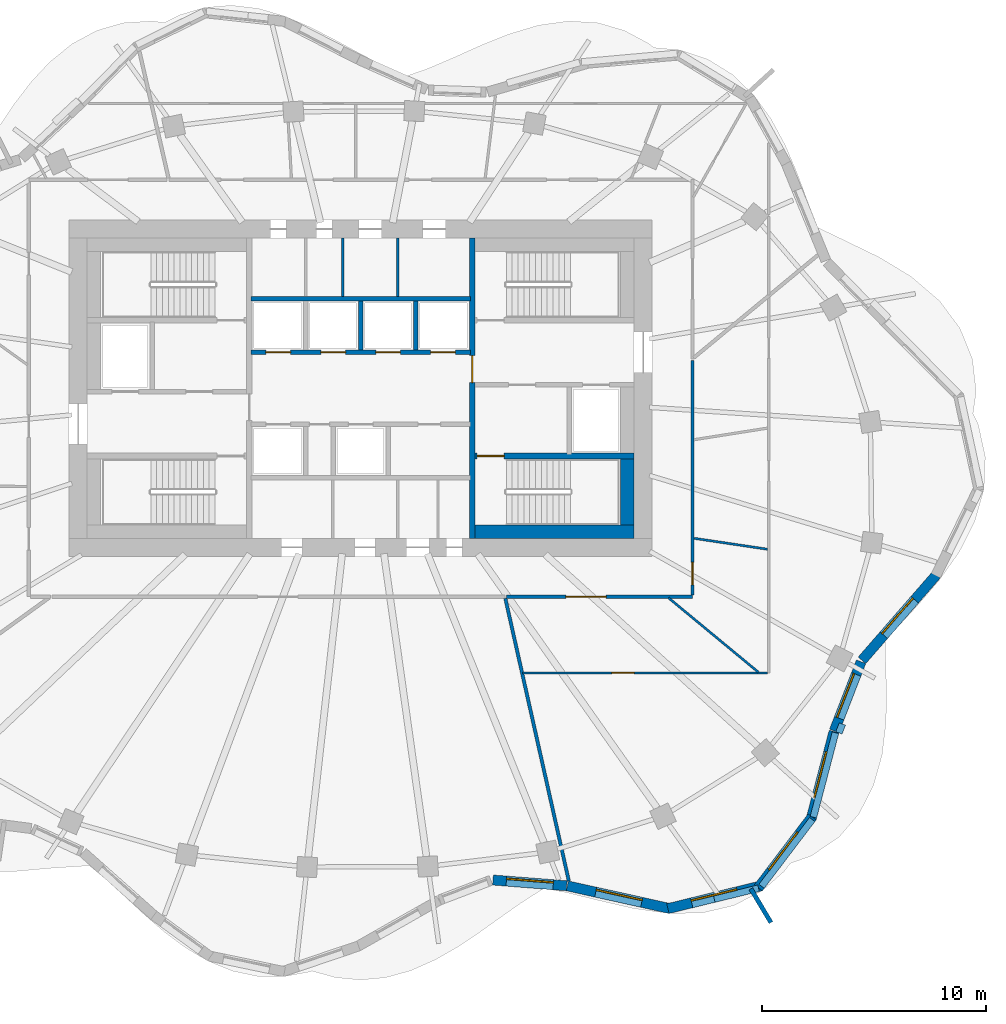
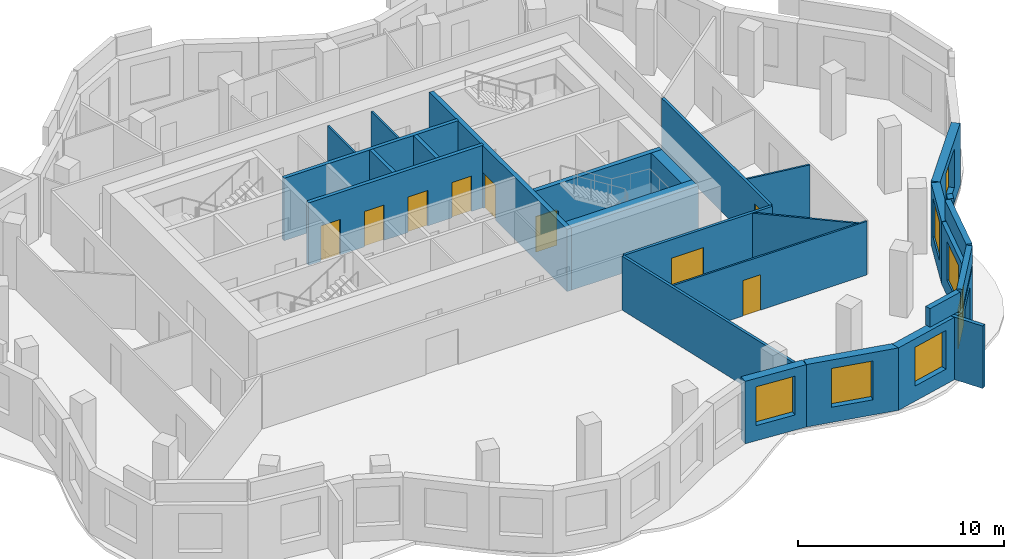
# One storey, part 5 of 9: 28 walls, 9 doors, 7 windows, 16 openings.
"""IFC4 building model written with IfcOpenShell, lengths in metres."""

from ifc_helpers import new_model, si_unit, direction, frame, frame_2d, origin, place, context, subcontext, project, spatial, rectangle, extrude, material, layer, layer_set, type_object, element, fill, save


model = new_model("IFC4")

# Units and contexts
model_context = context("Model", 3, precision=1e-05, world=origin(), true_north=direction((0.0, 1.0)))
body_context = subcontext(model_context, "Body", "Model", "MODEL_VIEW")
ifc_project = project(units=[si_unit("LENGTHUNIT", "METRE"), si_unit("AREAUNIT", "SQUARE_METRE"), si_unit("VOLUMEUNIT", "CUBIC_METRE"), si_unit("PLANEANGLEUNIT", "RADIAN"), si_unit("MASSUNIT", "GRAM", prefix="KILO")], contexts=[model_context])

# Site, building, storey
site_placement = place(None, origin())
site = spatial("IfcSite", under=ifc_project, at=site_placement, CompositionType="ELEMENT")
building_placement = place(site_placement, origin())
building = spatial("IfcBuilding", under=site, at=building_placement, Name="Rubra Terraces Tower", CompositionType="ELEMENT")
storey_placement = place(building_placement, frame((0.0, 0.0, 272.699951171875)))
storey = spatial("IfcBuildingStorey", under=building, at=storey_placement, Name="L67", CompositionType="ELEMENT", Elevation=272.699951171875)

# Wall, opening, window
ifc_material_1 = material(Name="Brick masonry red-brown", Category="masonry")
ifc_layer_1 = layer(ifc_material_1, 0.449951171875)
ifc_layer_set_1 = layer_set([ifc_layer_1], Name="Brick masonry red-brown")
wall_type_1 = type_object("IfcWallType", Name="Brick facade wall 450", PredefinedType="SOLIDWALL", material=ifc_layer_set_1)
wall_1_placement = place(storey_placement, frame((5.902587890625, -17.4404296875, 0.0), z_axis=(0.0, 0.0, 1.0), x_axis=(0.996964477799, -0.077857754954, 0.0)))
wall_1 = element("IfcWall", 1, at=wall_1_placement, inside=storey, type_object=wall_type_1, Name="Facade wall L67 bay 33", PredefinedType="SOLIDWALL", context=body_context, shape_type="SweptSolid", body=[
    extrude(rectangle(XDim=3.295654296875, YDim=0.449951171875, at=frame_2d((1.64794921875, 0.0))), origin(), (0.0, 0.0, 1.0), 3.699951171875),
])
opening_1_placement = place(wall_1_placement, frame((0.597900390625, 0.0, 0.89990234375)))
opening_1 = element("IfcOpeningElement", 2, at=opening_1_placement, cuts=wall_1, Name="Opening W1B", PredefinedType="OPENING", context=body_context, shape_type="SweptSolid", body=[
    extrude(rectangle(XDim=2.10009765625, YDim=2.300048828125, at=frame_2d((1.050048828125, 1.14990234375))), frame((0.0, 0.23486328125, 0.0), z_axis=(0.0, -1.0, 0.0), x_axis=(1.0, 0.0, 0.0)), (0.0, 0.0, 1.0), 0.469970703125),
])
ifc_material_2 = material(Name="Clear glass in aluminium frame", Category="aluminium")
window_type = type_object("IfcWindowType", Name="Fixed deep-set window tall storey 2100 x 2300", PartitioningType="SINGLE_PANEL", PredefinedType="WINDOW", material=ifc_material_2)
window_1_placement = place(opening_1_placement, origin())
window_1 = element("IfcWindow", 3, at=window_1_placement, inside=storey, type_object=window_type, Name="Window L67 bay 33", OverallHeight=2.300048828125, OverallWidth=2.10009765625, PartitioningType="SINGLE_PANEL", PredefinedType="WINDOW", context=body_context, shape_type="SweptSolid", body=[
    extrude(rectangle(XDim=2.10009765625, YDim=2.300048828125, at=frame_2d((1.050048828125, 1.14990234375))), frame((0.0, 0.135009765625, 0.0), z_axis=(0.0, -1.0, 0.0), x_axis=(1.0, 0.0, 0.0)), (0.0, 0.0, 1.0), 0.06005859375),
])
fill(opening_1, window_1)

wall_2_placement = place(storey_placement, frame((9.22119140625, -17.701171875, 0.0), z_axis=(0.0, 0.0, 1.0), x_axis=(0.976391105685, -0.216010205175, 0.0)))
wall_2 = element("IfcWall", 4, at=wall_2_placement, inside=storey, type_object=wall_type_1, Name="Facade wall L67 bay 34", PredefinedType="SOLIDWALL", context=body_context, shape_type="SweptSolid", body=[
    extrude(rectangle(XDim=4.691650390625, YDim=0.449951171875, at=frame_2d((2.345703125, 0.0))), origin(), (0.0, 0.0, 1.0), 3.699951171875),
])
opening_2_placement = place(wall_2_placement, frame((1.295654296875, 0.0, 0.89990234375)))
opening_2 = element("IfcOpeningElement", 5, at=opening_2_placement, cuts=wall_2, Name="Opening W1B", PredefinedType="OPENING", context=body_context, shape_type="SweptSolid", body=[
    extrude(rectangle(XDim=2.10009765625, YDim=2.300048828125, at=frame_2d((1.050048828125, 1.14990234375))), frame((0.0, 0.23486328125, 0.0), z_axis=(0.0, -1.0, 0.0), x_axis=(1.0, 0.0, 0.0)), (0.0, 0.0, 1.0), 0.469970703125),
])
window_2_placement = place(opening_2_placement, origin())
window_2 = element("IfcWindow", 6, at=window_2_placement, inside=storey, type_object=window_type, Name="Window L67 bay 34", OverallHeight=2.300048828125, OverallWidth=2.10009765625, PartitioningType="SINGLE_PANEL", PredefinedType="WINDOW", context=body_context, shape_type="SweptSolid", body=[
    extrude(rectangle(XDim=2.10009765625, YDim=2.300048828125, at=frame_2d((1.050048828125, 1.14990234375))), frame((0.0, 0.135009765625, 0.0), z_axis=(0.0, -1.0, 0.0), x_axis=(1.0, 0.0, 0.0)), (0.0, 0.0, 1.0), 0.06005859375),
])
fill(opening_2, window_2)

wall_3_placement = place(storey_placement, frame((13.70361328125, -18.71630859375, 0.0), z_axis=(0.0, 0.0, 1.0), x_axis=(0.971546885012, 0.236847314156, 0.0)))
wall_3 = element("IfcWall", 7, at=wall_3_placement, inside=storey, type_object=wall_type_1, Name="Facade wall L67 bay 35", PredefinedType="SOLIDWALL", context=body_context, shape_type="SweptSolid", body=[
    extrude(rectangle(XDim=4.284912109375, YDim=0.449951171875, at=frame_2d((2.142578125, 0.0))), origin(), (0.0, 0.0, 1.0), 3.699951171875),
])
opening_3_placement = place(wall_3_placement, frame((1.092529296875, 0.0, 0.89990234375)))
opening_3 = element("IfcOpeningElement", 8, at=opening_3_placement, cuts=wall_3, Name="Opening W1B", PredefinedType="OPENING", context=body_context, shape_type="SweptSolid", body=[
    extrude(rectangle(XDim=2.10009765625, YDim=2.300048828125, at=frame_2d((1.050048828125, 1.14990234375))), frame((0.0, 0.23486328125, 0.0), z_axis=(0.0, -1.0, 0.0), x_axis=(1.0, 0.0, 0.0)), (0.0, 0.0, 1.0), 0.469970703125),
])
window_3_placement = place(opening_3_placement, origin())
window_3 = element("IfcWindow", 9, at=window_3_placement, inside=storey, type_object=window_type, Name="Window L67 bay 35", OverallHeight=2.300048828125, OverallWidth=2.10009765625, PartitioningType="SINGLE_PANEL", PredefinedType="WINDOW", context=body_context, shape_type="SweptSolid", body=[
    extrude(rectangle(XDim=2.10009765625, YDim=2.300048828125, at=frame_2d((1.050048828125, 1.14990234375))), frame((0.0, 0.135009765625, 0.0), z_axis=(0.0, -1.0, 0.0), x_axis=(1.0, 0.0, 0.0)), (0.0, 0.0, 1.0), 0.06005859375),
])
fill(opening_3, window_3)

wall_4_placement = place(storey_placement, frame((17.74072265625, -17.783935546875, 0.0), z_axis=(0.0, 0.0, 1.0), x_axis=(0.604591324894, 0.796535830872, 0.0)))
wall_4 = element("IfcWall", 10, at=wall_4_placement, inside=storey, type_object=wall_type_1, Name="Facade wall L67 bay 36", PredefinedType="SOLIDWALL", context=body_context, shape_type="SweptSolid", body=[
    extrude(rectangle(XDim=3.964599609375, YDim=0.449951171875, at=frame_2d((1.982421875, 0.0))), origin(), (0.0, 0.0, 1.0), 3.699951171875),
])
opening_4_placement = place(wall_4_placement, frame((0.932373046875, 0.0, 0.89990234375)))
opening_4 = element("IfcOpeningElement", 11, at=opening_4_placement, cuts=wall_4, Name="Opening W1B", PredefinedType="OPENING", context=body_context, shape_type="SweptSolid", body=[
    extrude(rectangle(XDim=2.10009765625, YDim=2.300048828125, at=frame_2d((1.050048828125, 1.14990234375))), frame((0.0, 0.23486328125, 0.0), z_axis=(0.0, -1.0, 0.0), x_axis=(1.0, 0.0, 0.0)), (0.0, 0.0, 1.0), 0.469970703125),
])
window_4_placement = place(opening_4_placement, origin())
window_4 = element("IfcWindow", 12, at=window_4_placement, inside=storey, type_object=window_type, Name="Window L67 bay 36", OverallHeight=2.300048828125, OverallWidth=2.10009765625, PartitioningType="SINGLE_PANEL", PredefinedType="WINDOW", context=body_context, shape_type="SweptSolid", body=[
    extrude(rectangle(XDim=2.10009765625, YDim=2.300048828125, at=frame_2d((1.050048828125, 1.14990234375))), frame((0.0, 0.135009765625, 0.0), z_axis=(0.0, -1.0, 0.0), x_axis=(1.0, 0.0, 0.0)), (0.0, 0.0, 1.0), 0.06005859375),
])
fill(opening_4, window_4)

wall_5_placement = place(storey_placement, frame((20.1005859375, -14.699951171875, 0.0), z_axis=(0.0, 0.0, 1.0), x_axis=(0.253050507365, 0.967453069003, 0.0)))
wall_5 = element("IfcWall", 13, at=wall_5_placement, inside=storey, type_object=wall_type_1, Name="Facade wall L67 bay 37", PredefinedType="SOLIDWALL", context=body_context, shape_type="SweptSolid", body=[
    extrude(rectangle(XDim=4.015380859375, YDim=0.449951171875, at=frame_2d((2.0078125, 0.0))), origin(), (0.0, 0.0, 1.0), 3.699951171875),
])
opening_5_placement = place(wall_5_placement, frame((0.957763671875, 0.0, 0.89990234375)))
opening_5 = element("IfcOpeningElement", 14, at=opening_5_placement, cuts=wall_5, Name="Opening W1B", PredefinedType="OPENING", context=body_context, shape_type="SweptSolid", body=[
    extrude(rectangle(XDim=2.10009765625, YDim=2.300048828125, at=frame_2d((1.050048828125, 1.14990234375))), frame((0.0, 0.23486328125, 0.0), z_axis=(0.0, -1.0, 0.0), x_axis=(1.0, 0.0, 0.0)), (0.0, 0.0, 1.0), 0.469970703125),
])
window_5_placement = place(opening_5_placement, origin())
window_5 = element("IfcWindow", 15, at=window_5_placement, inside=storey, type_object=window_type, Name="Window L67 bay 37", OverallHeight=2.300048828125, OverallWidth=2.10009765625, PartitioningType="SINGLE_PANEL", PredefinedType="WINDOW", context=body_context, shape_type="SweptSolid", body=[
    extrude(rectangle(XDim=2.10009765625, YDim=2.300048828125, at=frame_2d((1.050048828125, 1.14990234375))), frame((0.0, 0.135009765625, 0.0), z_axis=(0.0, -1.0, 0.0), x_axis=(1.0, 0.0, 0.0)), (0.0, 0.0, 1.0), 0.06005859375),
])
fill(opening_5, window_5)

wall_6_placement = place(storey_placement, frame((21.12548828125, -10.7900390625, 0.0), z_axis=(0.0, 0.0, 1.0), x_axis=(0.361550075906, 0.932352692178, 0.0)))
wall_6 = element("IfcWall", 16, at=wall_6_placement, inside=storey, type_object=wall_type_1, Name="Facade wall L67 bay 38", PredefinedType="SOLIDWALL", context=body_context, shape_type="SweptSolid", body=[
    extrude(rectangle(XDim=3.3134765625, YDim=0.449951171875, at=frame_2d((1.65673828125, 0.0))), origin(), (0.0, 0.0, 1.0), 3.699951171875),
])
opening_6_placement = place(wall_6_placement, frame((0.606689453125, 0.0, 0.89990234375)))
opening_6 = element("IfcOpeningElement", 17, at=opening_6_placement, cuts=wall_6, Name="Opening W1B", PredefinedType="OPENING", context=body_context, shape_type="SweptSolid", body=[
    extrude(rectangle(XDim=2.10009765625, YDim=2.300048828125, at=frame_2d((1.050048828125, 1.14990234375))), frame((0.0, 0.23486328125, 0.0), z_axis=(0.0, -1.0, 0.0), x_axis=(1.0, 0.0, 0.0)), (0.0, 0.0, 1.0), 0.469970703125),
])
window_6_placement = place(opening_6_placement, origin())
window_6 = element("IfcWindow", 18, at=window_6_placement, inside=storey, type_object=window_type, Name="Window L67 bay 38", OverallHeight=2.300048828125, OverallWidth=2.10009765625, PartitioningType="SINGLE_PANEL", PredefinedType="WINDOW", context=body_context, shape_type="SweptSolid", body=[
    extrude(rectangle(XDim=2.10009765625, YDim=2.300048828125, at=frame_2d((1.050048828125, 1.14990234375))), frame((0.0, 0.135009765625, 0.0), z_axis=(0.0, -1.0, 0.0), x_axis=(1.0, 0.0, 0.0)), (0.0, 0.0, 1.0), 0.06005859375),
])
fill(opening_6, window_6)

wall_7_placement = place(storey_placement, frame((22.361083984375, -7.640380859375, 0.0), z_axis=(0.0, 0.0, 1.0), x_axis=(0.656556431783, 0.754276906636, 0.0)))
wall_7 = element("IfcWall", 19, at=wall_7_placement, inside=storey, type_object=wall_type_1, Name="Facade wall L67 bay 39", PredefinedType="SOLIDWALL", context=body_context, shape_type="SweptSolid", body=[
    extrude(rectangle(XDim=5.07177734375, YDim=0.449951171875, at=frame_2d((2.535888671875, 0.0))), origin(), (0.0, 0.0, 1.0), 3.699951171875),
])
opening_7_placement = place(wall_7_placement, frame((1.48583984375, 0.0, 0.89990234375)))
opening_7 = element("IfcOpeningElement", 20, at=opening_7_placement, cuts=wall_7, Name="Opening W1B", PredefinedType="OPENING", context=body_context, shape_type="SweptSolid", body=[
    extrude(rectangle(XDim=2.10009765625, YDim=2.300048828125, at=frame_2d((1.050048828125, 1.14990234375))), frame((0.0, 0.23486328125, 0.0), z_axis=(0.0, -1.0, 0.0), x_axis=(1.0, 0.0, 0.0)), (0.0, 0.0, 1.0), 0.469970703125),
])
window_7_placement = place(opening_7_placement, origin())
window_7 = element("IfcWindow", 21, at=window_7_placement, inside=storey, type_object=window_type, Name="Window L67 bay 39", OverallHeight=2.300048828125, OverallWidth=2.10009765625, PartitioningType="SINGLE_PANEL", PredefinedType="WINDOW", context=body_context, shape_type="SweptSolid", body=[
    extrude(rectangle(XDim=2.10009765625, YDim=2.300048828125, at=frame_2d((1.050048828125, 1.14990234375))), frame((0.0, 0.135009765625, 0.0), z_axis=(0.0, -1.0, 0.0), x_axis=(1.0, 0.0, 0.0)), (0.0, 0.0, 1.0), 0.06005859375),
])
fill(opening_7, window_7)

# Walls
ifc_layer_2 = layer(ifc_material_1, 0.300048828125)
ifc_layer_set_2 = layer_set([ifc_layer_2], Name="Brick masonry red-brown")
wall_type_2 = type_object("IfcWallType", Name="Brick parapet 300", PredefinedType="PARAPET", material=ifc_layer_set_2)
wall_8_placement = place(storey_placement, frame((15.771484375, -18.289306640625, 3.900146484375), z_axis=(0.0, 0.0, 1.0), x_axis=(0.971555973345, 0.236810030736, 0.0)))
element("IfcWall", 22, at=wall_8_placement, inside=storey, type_object=wall_type_2, Name="Parapet L67 bay 35", PredefinedType="PARAPET", context=body_context, shape_type="SweptSolid", body=[
    extrude(rectangle(XDim=2.0380859375, YDim=0.300048828125, at=frame_2d((1.01904296875, 0.0))), origin(), (0.0, 0.0, 1.0), 1.099853515625),
])
wall_9_placement = place(storey_placement, frame((17.883056640625, -17.720703125, 3.900146484375), z_axis=(0.0, 0.0, 1.0), x_axis=(0.60459800049, 0.796530763878, 0.0)))
element("IfcWall", 23, at=wall_9_placement, inside=storey, type_object=wall_type_2, Name="Parapet L67 bay 36", PredefinedType="PARAPET", context=body_context, shape_type="SweptSolid", body=[
    extrude(rectangle(XDim=3.738525390625, YDim=0.300048828125, at=frame_2d((1.869140625, 0.0))), origin(), (0.0, 0.0, 1.0), 1.099853515625),
])
wall_10_placement = place(storey_placement, frame((20.194580078125, -14.63720703125, 3.900146484375), z_axis=(0.0, 0.0, 1.0), x_axis=(0.253006085487, 0.967464687059, 0.0)))
element("IfcWall", 24, at=wall_10_placement, inside=storey, type_object=wall_type_2, Name="Parapet L67 bay 37", PredefinedType="PARAPET", context=body_context, shape_type="SweptSolid", body=[
    extrude(rectangle(XDim=3.8955078125, YDim=0.300048828125, at=frame_2d((1.94775390625, 0.0))), origin(), (0.0, 0.0, 1.0), 1.099853515625),
])
wall_11_placement = place(storey_placement, frame((21.3330078125, -10.877197265625, 3.900146484375), z_axis=(0.0, 0.0, 1.0), x_axis=(0.361395761011, 0.932412518107, 0.0)))
element("IfcWall", 25, at=wall_11_placement, inside=storey, type_object=wall_type_2, Name="Parapet L67 bay 38", PredefinedType="PARAPET", context=body_context, shape_type="SweptSolid", body=[
    extrude(rectangle(XDim=0.42626953125, YDim=0.300048828125, at=frame_2d((0.213134765625, 0.0))), origin(), (0.0, 0.0, 1.0), 1.099853515625),
])
ifc_layer_3 = layer(ifc_material_1, 0.199951171875)
ifc_layer_set_3 = layer_set([ifc_layer_3], Name="Brick masonry red-brown")
wall_type_3 = type_object("IfcWallType", Name="Brick wind fin 200", PredefinedType="SOLIDWALL", material=ifc_layer_set_3)
wall_12_placement = place(storey_placement, frame((17.406005859375, -17.8349609375, 0.0), z_axis=(0.0, 0.0, 1.0), x_axis=(0.512648290506, -0.858598701514, 0.0)))
element("IfcWall", 26, at=wall_12_placement, inside=storey, type_object=wall_type_3, Name="Wind fin L67 18", PredefinedType="SOLIDWALL", context=body_context, shape_type="SweptSolid", body=[
    extrude(rectangle(XDim=1.750244140625, YDim=0.199951171875, at=frame_2d((0.875, 0.0))), origin(), (0.0, 0.0, 1.0), 3.699951171875),
])

# Wall, opening, door
ifc_material_3 = material(Name="Plasterboard on steel stud, mineral wool infill", Category="steel")
ifc_layer_4 = layer(ifc_material_3, 0.14990234375)
ifc_layer_set_4 = layer_set([ifc_layer_4], Name="Plasterboard on steel stud, mineral wool infill")
wall_type_4 = type_object("IfcWallType", Name="CORRIDOR PARTITION 150", PredefinedType="PARTITIONING", material=ifc_layer_set_4)
wall_13_placement = place(storey_placement, frame((6.51171875, -4.800048828125, 0.0), z_axis=(0.0, 0.0, 1.0), x_axis=(1.0, 0.0, 0.0)))
wall_13 = element("IfcWall", 27, at=wall_13_placement, inside=storey, type_object=wall_type_4, Name="PARTITION", PredefinedType="PARTITIONING", context=body_context, shape_type="SweptSolid", body=[
    extrude(rectangle(XDim=8.288330078125, YDim=0.14990234375, at=frame_2d((4.14404296875, 0.0))), origin(), (0.0, 0.0, 1.0), 3.197998046875),
])
opening_8_placement = place(wall_13_placement, frame((2.639892578125, 0.0, 0.0)))
opening_8 = element("IfcOpeningElement", 28, at=opening_8_placement, cuts=wall_13, Name="Opening 67-112", PredefinedType="OPENING", context=body_context, shape_type="SweptSolid", body=[
    extrude(rectangle(XDim=1.800048828125, YDim=2.10009765625, at=frame_2d((0.89990234375, 1.050048828125))), frame((0.0, 0.0849609375, 0.0), z_axis=(0.0, -1.0, 0.0), x_axis=(1.0, 0.0, 0.0)), (0.0, 0.0, 1.0), 0.169921875),
])
ifc_material_4 = material(Name="Painted timber door leaf, double", Category="wood")
door_type_1 = type_object("IfcDoorType", Name="ROOM DOUBLE DOOR 1800 X 2100", OperationType="DOUBLE_DOOR_SINGLE_SWING", PredefinedType="DOOR", material=ifc_material_4)
door_1_placement = place(opening_8_placement, origin())
door_1 = element("IfcDoor", 29, at=door_1_placement, inside=storey, type_object=door_type_1, Name="DOOR 67-112", OperationType="DOUBLE_DOOR_SINGLE_SWING", OverallHeight=2.10009765625, OverallWidth=1.800048828125, PredefinedType="DOOR", context=body_context, shape_type="SweptSolid", body=[
    extrude(rectangle(XDim=1.800048828125, YDim=2.10009765625, at=frame_2d((0.89990234375, 1.050048828125))), frame((0.0, 0.02490234375, 0.0), z_axis=(0.0, -1.0, 0.0), x_axis=(1.0, 0.0, 0.0)), (0.0, 0.0, 1.0), 0.050048828125),
])
fill(opening_8, door_1)

wall_14_placement = place(storey_placement, frame((14.800048828125, -4.72509765625, 0.0), z_axis=(0.0, 0.0, 1.0), x_axis=(0.0, 1.0, 0.0)))
wall_14 = element("IfcWall", 30, at=wall_14_placement, inside=storey, type_object=wall_type_4, Name="PARTITION", PredefinedType="PARTITIONING", context=body_context, shape_type="SweptSolid", body=[
    extrude(rectangle(XDim=10.458984375, YDim=0.14990234375, at=frame_2d((5.2294921875, 0.0))), origin(), (0.0, 0.0, 1.0), 3.197998046875),
])
opening_9_placement = place(wall_14_placement, frame((0.449951171875, 0.0, 0.0)))
opening_9 = element("IfcOpeningElement", 31, at=opening_9_placement, cuts=wall_14, Name="Opening 67-114", PredefinedType="OPENING", context=body_context, shape_type="SweptSolid", body=[
    extrude(rectangle(XDim=1.0, YDim=2.39990234375, at=frame_2d((0.5, 1.199951171875))), frame((0.0, 0.0849609375, 0.0), z_axis=(0.0, -1.0, 0.0), x_axis=(1.0, 0.0, 0.0)), (0.0, 0.0, 1.0), 0.169921875),
])
ifc_material_5 = material(Name="Glazed aluminium meeting door leaf", Category="aluminium")
door_type_2 = type_object("IfcDoorType", Name="MEETING ROOM GLAZED DOOR 1000 X 2400", OperationType="SINGLE_SWING_LEFT", PredefinedType="DOOR", material=ifc_material_5)
door_2_placement = place(opening_9_placement, origin())
door_2 = element("IfcDoor", 32, at=door_2_placement, inside=storey, type_object=door_type_2, Name="DOOR 67-114", OperationType="SINGLE_SWING_RIGHT", OverallHeight=2.39990234375, OverallWidth=1.0, PredefinedType="DOOR", context=body_context, shape_type="SweptSolid", body=[
    extrude(rectangle(XDim=1.0, YDim=2.39990234375, at=frame_2d((0.5, 1.199951171875))), frame((0.0, 0.02490234375, 0.0), z_axis=(0.0, -1.0, 0.0), x_axis=(1.0, 0.0, 0.0)), (0.0, 0.0, 1.0), 0.050048828125),
])
fill(opening_9, door_2)

# Walls
ifc_material_6 = material(Name="Concrete C40", Category="concrete")
ifc_layer_5 = layer(ifc_material_6, 0.60009765625)
ifc_layer_set_5 = layer_set([ifc_layer_5], Name="Concrete C40")
wall_type_5 = type_object("IfcWallType", Name="Core lining wall 600 concrete", PredefinedType="SOLIDWALL", material=ifc_layer_set_5)
wall_15_placement = place(storey_placement, frame((11.89990234375, 1.35009765625, 0.0), z_axis=(0.0, 0.0, 1.0), x_axis=(0.0, -1.0, 0.0)))
element("IfcWall", 33, at=wall_15_placement, inside=storey, type_object=wall_type_5, Name="CORE LINING WALL L67", PredefinedType="SOLIDWALL", context=body_context, shape_type="SweptSolid", body=[
    extrude(rectangle(XDim=2.9501953125, YDim=0.60009765625, at=frame_2d((1.47509765625, 0.0))), origin(), (0.0, 0.0, 1.0), 3.699951171875),
])
wall_16_placement = place(storey_placement, frame((12.199951171875, -1.89990234375, 0.0), z_axis=(0.0, 0.0, 1.0), x_axis=(-1.0, 0.0, 0.0)))
element("IfcWall", 34, at=wall_16_placement, inside=storey, type_object=wall_type_5, Name="CORE LINING WALL L67", PredefinedType="SOLIDWALL", context=body_context, shape_type="SweptSolid", body=[
    extrude(rectangle(XDim=7.099853515625, YDim=0.60009765625, at=frame_2d((3.5498046875, 0.0))), origin(), (0.0, 0.0, 1.0), 3.699951171875),
])

# Wall, openings, doors
ifc_material_7 = material(Name="Concrete C30", Category="concrete")
ifc_layer_6 = layer(ifc_material_7, 0.199951171875)
ifc_layer_set_6 = layer_set([ifc_layer_6], Name="Concrete C30")
wall_type_6 = type_object("IfcWallType", Name="Core wall 200 concrete", PredefinedType="SOLIDWALL", material=ifc_layer_set_6)
wall_17_placement = place(storey_placement, frame((-4.89990234375, 6.10009765625, 0.0), z_axis=(0.0, 0.0, 1.0), x_axis=(1.0, 0.0, 0.0)))
wall_17 = element("IfcWall", 35, at=wall_17_placement, inside=storey, type_object=wall_type_6, Name="LIFT SHAFT WALL L67", PredefinedType="SOLIDWALL", context=body_context, shape_type="SweptSolid", body=[
    extrude(rectangle(XDim=9.7998046875, YDim=0.199951171875, at=frame_2d((4.89990234375, 0.0))), origin(), (0.0, 0.0, 1.0), 3.699951171875),
])
opening_10_placement = place(wall_17_placement, frame((0.675048828125, 0.0, 0.0)))
opening_10 = element("IfcOpeningElement", 36, at=opening_10_placement, cuts=wall_17, Name="Opening L67.C17", PredefinedType="OPENING", context=body_context, shape_type="SweptSolid", body=[
    extrude(rectangle(XDim=1.10009765625, YDim=2.10009765625, at=frame_2d((0.550048828125, 1.050048828125))), frame((0.0, 0.10986328125, 0.0), z_axis=(0.0, -1.0, 0.0), x_axis=(1.0, 0.0, 0.0)), (0.0, 0.0, 1.0), 0.219970703125),
])
opening_11_placement = place(wall_17_placement, frame((3.125, 0.0, 0.0)))
opening_11 = element("IfcOpeningElement", 37, at=opening_11_placement, cuts=wall_17, Name="Opening L67.C18", PredefinedType="OPENING", context=body_context, shape_type="SweptSolid", body=[
    extrude(rectangle(XDim=1.10009765625, YDim=2.10009765625, at=frame_2d((0.550048828125, 1.050048828125))), frame((0.0, 0.10986328125, 0.0), z_axis=(0.0, -1.0, 0.0), x_axis=(1.0, 0.0, 0.0)), (0.0, 0.0, 1.0), 0.219970703125),
])
opening_12_placement = place(wall_17_placement, frame((5.574951171875, 0.0, 0.0)))
opening_12 = element("IfcOpeningElement", 38, at=opening_12_placement, cuts=wall_17, Name="Opening L67.C19", PredefinedType="OPENING", context=body_context, shape_type="SweptSolid", body=[
    extrude(rectangle(XDim=1.10009765625, YDim=2.10009765625, at=frame_2d((0.550048828125, 1.050048828125))), frame((0.0, 0.10986328125, 0.0), z_axis=(0.0, -1.0, 0.0), x_axis=(1.0, 0.0, 0.0)), (0.0, 0.0, 1.0), 0.219970703125),
])
opening_13_placement = place(wall_17_placement, frame((8.02490234375, 0.0, 0.0)))
opening_13 = element("IfcOpeningElement", 39, at=opening_13_placement, cuts=wall_17, Name="Opening L67.C20", PredefinedType="OPENING", context=body_context, shape_type="SweptSolid", body=[
    extrude(rectangle(XDim=1.10009765625, YDim=2.10009765625, at=frame_2d((0.550048828125, 1.050048828125))), frame((0.0, 0.10986328125, 0.0), z_axis=(0.0, -1.0, 0.0), x_axis=(1.0, 0.0, 0.0)), (0.0, 0.0, 1.0), 0.219970703125),
])
ifc_material_8 = material(Name="Stainless steel", Category="steel")
door_type_3 = type_object("IfcDoorType", Name="Lift landing door 1100x2100", OperationType="NOTDEFINED", PredefinedType="DOOR", material=ifc_material_8)
door_3_placement = place(opening_10_placement, origin())
door_3 = element("IfcDoor", 40, at=door_3_placement, inside=storey, type_object=door_type_3, Name="Landing door HB3", OperationType="SLIDING_TO_RIGHT", OverallHeight=2.10009765625, OverallWidth=1.10009765625, PredefinedType="DOOR", context=body_context, shape_type="SweptSolid", body=[
    extrude(rectangle(XDim=1.10009765625, YDim=2.10009765625, at=frame_2d((0.550048828125, 1.050048828125))), frame((0.0, 0.02490234375, 0.0), z_axis=(0.0, -1.0, 0.0), x_axis=(1.0, 0.0, 0.0)), (0.0, 0.0, 1.0), 0.050048828125),
])
fill(opening_10, door_3)
door_4_placement = place(opening_11_placement, origin())
door_4 = element("IfcDoor", 41, at=door_4_placement, inside=storey, type_object=door_type_3, Name="Landing door HB4", OperationType="SLIDING_TO_LEFT", OverallHeight=2.10009765625, OverallWidth=1.10009765625, PredefinedType="DOOR", context=body_context, shape_type="SweptSolid", body=[
    extrude(rectangle(XDim=1.10009765625, YDim=2.10009765625, at=frame_2d((0.550048828125, 1.050048828125))), frame((0.0, 0.02490234375, 0.0), z_axis=(0.0, -1.0, 0.0), x_axis=(1.0, 0.0, 0.0)), (0.0, 0.0, 1.0), 0.050048828125),
])
fill(opening_11, door_4)
door_5_placement = place(opening_12_placement, origin())
door_5 = element("IfcDoor", 42, at=door_5_placement, inside=storey, type_object=door_type_3, Name="Landing door HB5", OperationType="SLIDING_TO_RIGHT", OverallHeight=2.10009765625, OverallWidth=1.10009765625, PredefinedType="DOOR", context=body_context, shape_type="SweptSolid", body=[
    extrude(rectangle(XDim=1.10009765625, YDim=2.10009765625, at=frame_2d((0.550048828125, 1.050048828125))), frame((0.0, 0.02490234375, 0.0), z_axis=(0.0, -1.0, 0.0), x_axis=(1.0, 0.0, 0.0)), (0.0, 0.0, 1.0), 0.050048828125),
])
fill(opening_12, door_5)
door_6_placement = place(opening_13_placement, origin())
door_6 = element("IfcDoor", 43, at=door_6_placement, inside=storey, type_object=door_type_3, Name="Landing door HB6", OperationType="SLIDING_TO_LEFT", OverallHeight=2.10009765625, OverallWidth=1.10009765625, PredefinedType="DOOR", context=body_context, shape_type="SweptSolid", body=[
    extrude(rectangle(XDim=1.10009765625, YDim=2.10009765625, at=frame_2d((0.550048828125, 1.050048828125))), frame((0.0, 0.02490234375, 0.0), z_axis=(0.0, -1.0, 0.0), x_axis=(1.0, 0.0, 0.0)), (0.0, 0.0, 1.0), 0.050048828125),
])
fill(opening_13, door_6)

# Walls
wall_18_placement = place(storey_placement, frame((-4.89990234375, 8.5, 0.0), z_axis=(0.0, 0.0, 1.0), x_axis=(1.0, 0.0, 0.0)))
element("IfcWall", 44, at=wall_18_placement, inside=storey, type_object=wall_type_6, Name="LIFT SHAFT WALL L67", PredefinedType="SOLIDWALL", context=body_context, shape_type="SweptSolid", body=[
    extrude(rectangle(XDim=9.7998046875, YDim=0.199951171875, at=frame_2d((4.89990234375, 0.0))), origin(), (0.0, 0.0, 1.0), 3.699951171875),
])
for number, where, z_axis, x_axis, name in (
    (45, (0.0, 6.199951171875, 0.0), (0.0, 0.0, 1.0), (0.0, 1.0, 0.0), "LIFT SHAFT WALL L67"),
    (46, (2.449951171875, 6.199951171875, 0.0), (0.0, 0.0, 1.0), (0.0, 1.0, 0.0), "LIFT SHAFT WALL L67"),
):
    element("IfcWall", number, at=place(storey_placement, frame(where, z_axis=z_axis, x_axis=x_axis)), inside=storey, type_object=wall_type_6, Name=name, PredefinedType="SOLIDWALL", context=body_context, shape_type="SweptSolid", body=[
        extrude(rectangle(XDim=2.199951171875, YDim=0.199951171875, at=frame_2d((1.10009765625, 0.0))), origin(), (0.0, 0.0, 1.0), 3.699951171875),
    ])

# Wall, opening, door
ifc_material_9 = material(Name="Plasterboard on steel stud", Category="steel")
ifc_layer_7 = layer(ifc_material_9, 0.10009765625)
ifc_layer_set_7 = layer_set([ifc_layer_7], Name="Plasterboard on steel stud")
wall_type_7 = type_object("IfcWallType", Name="ROOM PARTITION 100", PredefinedType="PARTITIONING", material=ifc_layer_set_7)
wall_19_placement = place(storey_placement, frame((18.14990234375, -8.199951171875, 0.0), z_axis=(0.0, 0.0, 1.0), x_axis=(-1.0, 0.0, 0.0)))
wall_19 = element("IfcWall", 47, at=wall_19_placement, inside=storey, type_object=wall_type_7, Name="PARTITION", PredefinedType="PARTITIONING", context=body_context, shape_type="SweptSolid", body=[
    extrude(rectangle(XDim=10.928955078125, YDim=0.10009765625, at=frame_2d((5.46435546875, 0.0))), origin(), (0.0, 0.0, 1.0), 3.18408203125),
])
opening_14_placement = place(wall_19_placement, frame((5.947998046875, 0.0, 0.0)))
opening_14 = element("IfcOpeningElement", 48, at=opening_14_placement, cuts=wall_19, Name="Opening 67-113", PredefinedType="OPENING", context=body_context, shape_type="SweptSolid", body=[
    extrude(rectangle(XDim=1.0, YDim=2.10009765625, at=frame_2d((0.5, 1.050048828125))), frame((0.0, 0.06005859375, 0.0), z_axis=(0.0, -1.0, 0.0), x_axis=(1.0, 0.0, 0.0)), (0.0, 0.0, 1.0), 0.1201171875),
])
ifc_material_10 = material(Name="Painted timber door leaf", Category="wood")
door_type_4 = type_object("IfcDoorType", Name="ROOM DOOR 1000 X 2100", OperationType="SINGLE_SWING_LEFT", PredefinedType="DOOR", material=ifc_material_10)
door_7_placement = place(opening_14_placement, origin())
door_7 = element("IfcDoor", 49, at=door_7_placement, inside=storey, type_object=door_type_4, Name="DOOR 67-113", OperationType="SINGLE_SWING_RIGHT", OverallHeight=2.10009765625, OverallWidth=1.0, PredefinedType="DOOR", context=body_context, shape_type="SweptSolid", body=[
    extrude(rectangle(XDim=1.0, YDim=2.10009765625, at=frame_2d((0.5, 1.050048828125))), frame((0.0, 0.02490234375, 0.0), z_axis=(0.0, -1.0, 0.0), x_axis=(1.0, 0.0, 0.0)), (0.0, 0.0, 1.0), 0.050048828125),
])
fill(opening_14, door_7)

# Walls
wall_20_placement = place(storey_placement, frame((13.7255859375, -4.847900390625, 0.0), z_axis=(0.0, 0.0, 1.0), x_axis=(0.770597471598, -0.637322160894, 0.0)))
element("IfcWall", 50, at=wall_20_placement, inside=storey, type_object=wall_type_7, Name="PARTITION", PredefinedType="PARTITIONING", context=body_context, shape_type="SweptSolid", body=[
    extrude(rectangle(XDim=5.209716796875, YDim=0.10009765625, at=frame_2d((2.60498046875, 0.0))), origin(), (0.0, 0.0, 1.0), 3.18408203125),
])
wall_21_placement = place(storey_placement, frame((14.874267578125, -2.197509765625, 0.0), z_axis=(0.0, 0.0, 1.0), x_axis=(0.989128534105, -0.147053537934, 0.0)))
element("IfcWall", 51, at=wall_21_placement, inside=storey, type_object=wall_type_7, Name="PARTITION", PredefinedType="PARTITIONING", context=body_context, shape_type="SweptSolid", body=[
    extrude(rectangle(XDim=3.31201171875, YDim=0.10009765625, at=frame_2d((1.656005859375, 0.0))), origin(), (0.0, 0.0, 1.0), 3.18408203125),
])
ifc_layer_8 = layer(ifc_material_9, 0.14990234375)
ifc_layer_set_8 = layer_set([ifc_layer_8], Name="Plasterboard on steel stud")
wall_type_8 = type_object("IfcWallType", Name="ROOM PARTITION 150", PredefinedType="PARTITIONING", material=ifc_layer_set_8)
wall_22_placement = place(storey_placement, frame((9.286376953125, -17.485107421875, 0.0), z_axis=(0.0, 0.0, 1.0), x_axis=(-0.219205673421, 0.975678672894, 0.0)))
element("IfcWall", 52, at=wall_22_placement, inside=storey, type_object=wall_type_8, Name="PARTITION", PredefinedType="PARTITIONING", context=body_context, shape_type="SweptSolid", body=[
    extrude(rectangle(XDim=12.92626953125, YDim=0.14990234375, at=frame_2d((6.463134765625, 0.0))), origin(), (0.0, 0.0, 1.0), 3.197998046875),
])
ifc_material_11 = material(Name="Blockwork", Category="masonry")
ifc_layer_9 = layer(ifc_material_11, 0.10009765625)
ifc_layer_set_9 = layer_set([ifc_layer_9], Name="Blockwork")
wall_type_9 = type_object("IfcWallType", Name="Service partition 100 blockwork", PredefinedType="PARTITIONING", material=ifc_layer_set_9)
for number, where, z_axis, x_axis, name in (
    (53, (-0.800048828125, 8.60009765625, 0.0), (0.0, 0.0, 1.0), (0.0, 1.0, 0.0), "SERVICE ROOM PARTITION L67"),
    (54, (1.64990234375, 8.60009765625, 0.0), (0.0, 0.0, 1.0), (0.0, 1.0, 0.0), "SERVICE ROOM PARTITION L67"),
):
    element("IfcWall", number, at=place(storey_placement, frame(where, z_axis=z_axis, x_axis=x_axis)), inside=storey, type_object=wall_type_9, Name=name, PredefinedType="PARTITIONING", context=body_context, shape_type="SweptSolid", body=[
        extrude(rectangle(XDim=2.599853515625, YDim=0.10009765625, at=frame_2d((1.2998046875, 0.0))), origin(), (0.0, 0.0, 1.0), 3.699951171875),
    ])

# Wall, opening, door
ifc_layer_10 = layer(ifc_material_6, 0.25)
ifc_layer_set_10 = layer_set([ifc_layer_10], Name="Concrete C40")
wall_type_10 = type_object("IfcWallType", Name="Stair enclosure wall 250 concrete", PredefinedType="SOLIDWALL", material=ifc_layer_set_10)
wall_23_placement = place(storey_placement, frame((12.199951171875, 1.47509765625, 0.0), z_axis=(0.0, 0.0, 1.0), x_axis=(-1.0, 0.0, 0.0)))
wall_23 = element("IfcWall", 55, at=wall_23_placement, inside=storey, type_object=wall_type_10, Name="STAIR WALL L67", PredefinedType="SOLIDWALL", context=body_context, shape_type="SweptSolid", body=[
    extrude(rectangle(XDim=7.099853515625, YDim=0.25, at=frame_2d((3.5498046875, 0.0))), origin(), (0.0, 0.0, 1.0), 3.699951171875),
])
opening_15_placement = place(wall_23_placement, frame((5.800048828125, 0.0, 0.0)))
opening_15 = element("IfcOpeningElement", 56, at=opening_15_placement, cuts=wall_23, Name="Opening L67.C10", PredefinedType="OPENING", context=body_context, shape_type="SweptSolid", body=[
    extrude(rectangle(XDim=1.199951171875, YDim=2.10009765625, at=frame_2d((0.60009765625, 1.050048828125))), frame((0.0, 0.135009765625, 0.0), z_axis=(0.0, -1.0, 0.0), x_axis=(1.0, 0.0, 0.0)), (0.0, 0.0, 1.0), 0.27001953125),
])
ifc_material_12 = material(Name="Painted steel", Category="steel")
door_type_5 = type_object("IfcDoorType", Name="Fire door 1200x2100 single", OperationType="NOTDEFINED", PredefinedType="DOOR", material=ifc_material_12)
door_8_placement = place(opening_15_placement, origin())
door_8 = element("IfcDoor", 57, at=door_8_placement, inside=storey, type_object=door_type_5, Name="Stair door S4", OperationType="SINGLE_SWING_RIGHT", OverallHeight=2.10009765625, OverallWidth=1.199951171875, PredefinedType="DOOR", context=body_context, shape_type="SweptSolid", body=[
    extrude(rectangle(XDim=1.199951171875, YDim=2.10009765625, at=frame_2d((0.60009765625, 1.050048828125))), frame((0.0, 0.02490234375, 0.0), z_axis=(0.0, -1.0, 0.0), x_axis=(1.0, 0.0, 0.0)), (0.0, 0.0, 1.0), 0.050048828125),
])
fill(opening_15, door_8)

wall_24_placement = place(storey_placement, frame((4.97509765625, 11.199951171875, 0.0), z_axis=(0.0, 0.0, 1.0), x_axis=(0.0, -1.0, 0.0)))
wall_24 = element("IfcWall", 58, at=wall_24_placement, inside=storey, type_object=wall_type_10, Name="CORE LOBBY WALL L67", PredefinedType="SOLIDWALL", context=body_context, shape_type="SweptSolid", body=[
    extrude(rectangle(XDim=13.39990234375, YDim=0.25, at=frame_2d((6.699951171875, 0.0))), origin(), (0.0, 0.0, 1.0), 3.699951171875),
])
opening_16_placement = place(wall_24_placement, frame((5.25, 0.0, 0.0)))
opening_16 = element("IfcOpeningElement", 59, at=opening_16_placement, cuts=wall_24, Name="Opening L67.C04", PredefinedType="OPENING", context=body_context, shape_type="SweptSolid", body=[
    extrude(rectangle(XDim=1.199951171875, YDim=2.10009765625, at=frame_2d((0.60009765625, 1.050048828125))), frame((0.0, 0.135009765625, 0.0), z_axis=(0.0, -1.0, 0.0), x_axis=(1.0, 0.0, 0.0)), (0.0, 0.0, 1.0), 0.27001953125),
])
door_9_placement = place(opening_16_placement, origin())
door_9 = element("IfcDoor", 60, at=door_9_placement, inside=storey, type_object=door_type_5, Name="Firefighting lobby door FF2", OperationType="SINGLE_SWING_RIGHT", OverallHeight=2.10009765625, OverallWidth=1.199951171875, PredefinedType="DOOR", context=body_context, shape_type="SweptSolid", body=[
    extrude(rectangle(XDim=1.199951171875, YDim=2.10009765625, at=frame_2d((0.60009765625, 1.050048828125))), frame((0.0, 0.02490234375, 0.0), z_axis=(0.0, -1.0, 0.0), x_axis=(1.0, 0.0, 0.0)), (0.0, 0.0, 1.0), 0.050048828125),
])
fill(opening_16, door_9)

save(model, "model.ifc")
